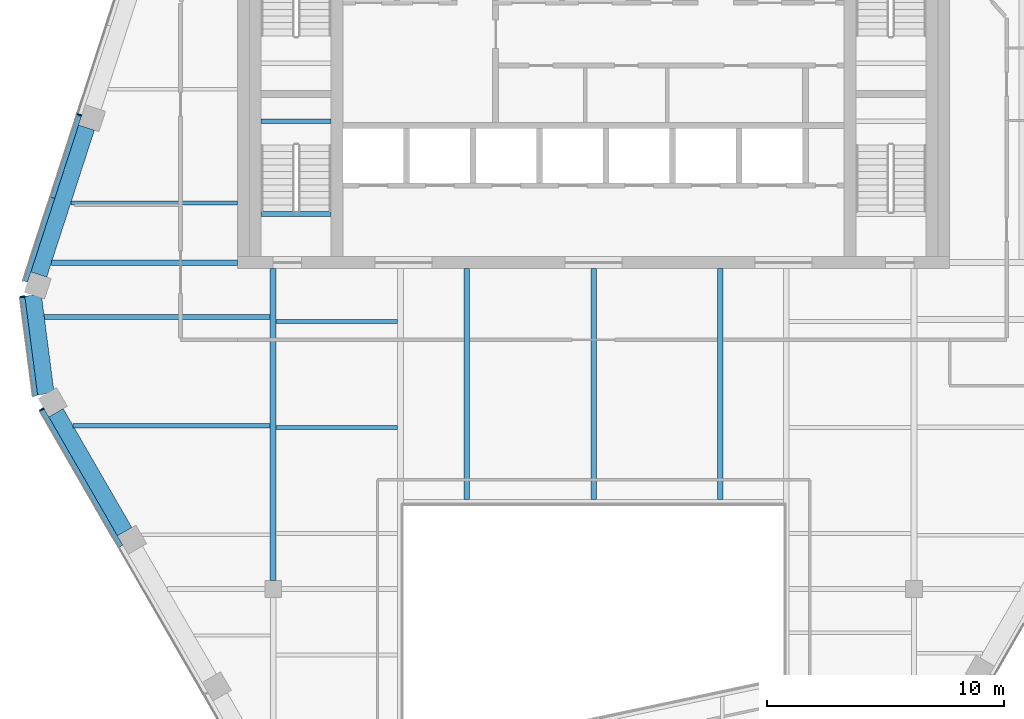
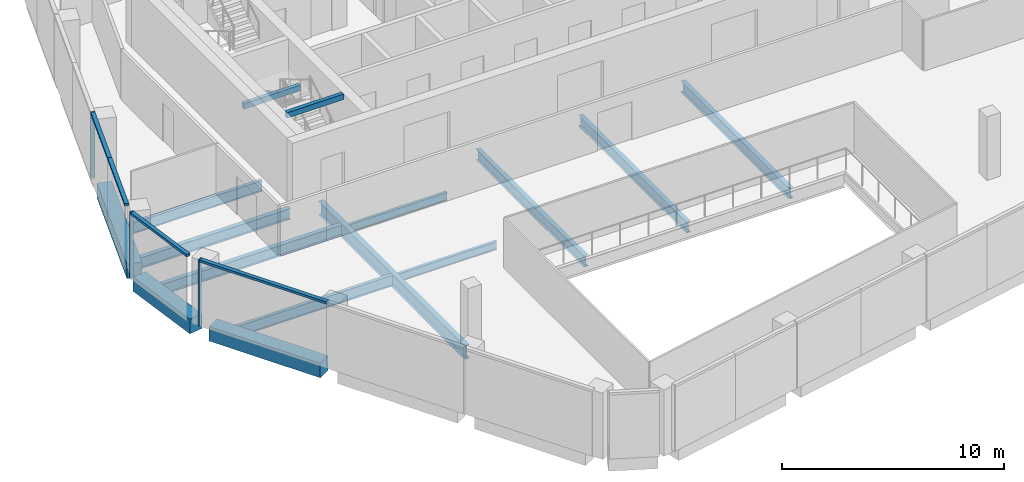
# One storey, part 3 of 15: 15 beams, 7 members, 3 elements without a shape of their own.
"""IFC4 building model written with IfcOpenShell, lengths in metres."""

from ifc_helpers import new_model, si_unit, direction, frame, origin, origin_2d, place, context, subcontext, project, spatial, rectangle, i_section, extrude, material, layer, layer_set, material_profile, profile_set, type_object, element, aggregate, save


model = new_model("IFC4")

# Units and contexts
model_context = context("Model", 3, precision=1e-05, world=origin(), true_north=direction((0.0, 1.0)))
body_context = subcontext(model_context, "Body", "Model", "MODEL_VIEW")
ifc_project = project(units=[si_unit("LENGTHUNIT", "METRE"), si_unit("AREAUNIT", "SQUARE_METRE"), si_unit("VOLUMEUNIT", "CUBIC_METRE"), si_unit("PLANEANGLEUNIT", "RADIAN"), si_unit("MASSUNIT", "GRAM", prefix="KILO")], contexts=[model_context])

# Site, building, storey
site_placement = place(None, origin())
site = spatial("IfcSite", under=ifc_project, at=site_placement, CompositionType="ELEMENT")
building_placement = place(site_placement, origin())
building = spatial("IfcBuilding", under=site, at=building_placement, Name="Isthmus Gate Tower", CompositionType="ELEMENT")
storey_placement = place(building_placement, frame((0.0, 0.0, 268.25)))
storey = spatial("IfcBuildingStorey", under=building, at=storey_placement, Name="L68", CompositionType="ELEMENT", Elevation=268.25)

# Curtain wall, member
ifc_material_1 = material(Name="Aluminium, pale champagne anodised", Category="aluminium")
ifc_layer = layer(ifc_material_1, 0.199951171875)
ifc_layer_set = layer_set([ifc_layer], Name="CW-1 UNITISED CURTAIN WALL 200 DEEP")
curtain_wall_type = type_object("IfcCurtainWallType", Name="CW-1 UNITISED CURTAIN WALL 200 DEEP", PredefinedType="NOTDEFINED", material=ifc_layer_set)
curtain_wall_1_placement = place(storey_placement, origin())
curtain_wall_1 = element("IfcCurtainWall", 1, at=curtain_wall_1_placement, inside=storey, type_object=curtain_wall_type, Name="CW-1 NW L68", PredefinedType="NOTDEFINED")
ifc_material_2 = material(Name="Aluminium, pale champagne anodised", Category="aluminium")
ifc_material_profile_1 = material_profile(ifc_material_2, rectangle(XDim=0.06005859375, YDim=0.199951171875, at=origin_2d()), Name="60x200")
ifc_profile_set_1 = profile_set([ifc_material_profile_1], Name="Aluminium, pale champagne anodised")
member_type_1 = type_object("IfcMemberType", Name="CW-1 MULLION 60 X 200", PredefinedType="MULLION", material=ifc_profile_set_1)
member_1_placement = place(storey_placement, frame((-21.6572265625, 6.47265625, 0.0), z_axis=(0.0, 0.0, 1.0), x_axis=(-0.309016994375, -0.951056516295, 0.0)))
member_1 = element("IfcMember", 2, at=member_1_placement, type_object=member_type_1, Name="CW-1 mullion", PredefinedType="MULLION", context=body_context, shape_type="SweptSolid", body=[
    extrude(rectangle(XDim=0.06005859375, YDim=0.199951171875, at=origin_2d()), origin(), (0.0, 0.0, 1.0), 3.64990234375),
])

curtain_wall_2_placement = place(storey_placement, origin())
curtain_wall_2 = element("IfcCurtainWall", 3, at=curtain_wall_2_placement, inside=storey, type_object=curtain_wall_type, Name="CW-1 NW-SW L68", PredefinedType="NOTDEFINED")
member_2_placement = place(storey_placement, frame((-24.0576171875, -1.18603515625, 0.0), z_axis=(0.0, 0.0, 1.0), x_axis=(0.129164534, -0.991623175988, 0.0)))
member_2 = element("IfcMember", 4, at=member_2_placement, type_object=member_type_1, Name="CW-1 mullion", PredefinedType="MULLION", context=body_context, shape_type="SweptSolid", body=[
    extrude(rectangle(XDim=0.06005859375, YDim=0.199951171875, at=origin_2d()), origin(), (0.0, 0.0, 1.0), 3.64990234375),
])

curtain_wall_3_placement = place(storey_placement, origin())
curtain_wall_3 = element("IfcCurtainWall", 5, at=curtain_wall_3_placement, inside=storey, type_object=curtain_wall_type, Name="CW-1 SW L68", PredefinedType="NOTDEFINED")
member_3_placement = place(storey_placement, frame((-23.244873046875, -5.938720703125, 0.0), z_axis=(0.0, 0.0, 1.0), x_axis=(0.5, -0.866025403784, 0.0)))
member_3 = element("IfcMember", 6, at=member_3_placement, type_object=member_type_1, Name="CW-1 mullion", PredefinedType="MULLION", context=body_context, shape_type="SweptSolid", body=[
    extrude(rectangle(XDim=0.06005859375, YDim=0.199951171875, at=origin_2d()), origin(), (0.0, 0.0, 1.0), 3.64990234375),
])

# Member
ifc_material_3 = material(Name="Aluminium, pale champagne anodised", Category="aluminium")
ifc_material_profile_2 = material_profile(ifc_material_3, rectangle(XDim=0.199951171875, YDim=0.1298828125, at=origin_2d()), Name="200x130")
ifc_profile_set_2 = profile_set([ifc_material_profile_2], Name="Aluminium, pale champagne anodised")
member_type_2 = type_object("IfcMemberType", Name="CW-1 TRANSOM 200 X 130", PredefinedType="USERDEFINED", material=ifc_profile_set_2)
member_4_placement = place(storey_placement, frame((-21.66650390625, 6.4443359375, 3.5849609375), z_axis=(-0.30898152177, -0.951068041312, 0.0), x_axis=(0.951068041312, -0.30898152177, 0.0)))
member_4 = element("IfcMember", 7, at=member_4_placement, type_object=member_type_2, Name="CW-1 transom", ObjectType="TRANSOM", PredefinedType="USERDEFINED", context=body_context, shape_type="SweptSolid", body=[
    extrude(rectangle(XDim=0.199951171875, YDim=0.1298828125, at=origin_2d()), origin(), (0.0, 0.0, 1.0), 3.643310546875),
])

member_5_placement = place(storey_placement, frame((-22.792236328125, 2.979248046875, 3.5849609375), z_axis=(-0.309039863592, -0.951049085332, 0.0), x_axis=(0.951049085332, -0.309039863592, 0.0)))
member_5 = element("IfcMember", 8, at=member_5_placement, type_object=member_type_2, Name="CW-1 transom", ObjectType="TRANSOM", PredefinedType="USERDEFINED", context=body_context, shape_type="SweptSolid", body=[
    extrude(rectangle(XDim=0.199951171875, YDim=0.1298828125, at=origin_2d()), origin(), (0.0, 0.0, 1.0), 3.70361328125),
])

aggregate(curtain_wall_1, [member_1, member_4, member_5])

member_6_placement = place(storey_placement, frame((-24.0537109375, -1.215576171875, 3.5849609375), z_axis=(0.129149481977, -0.991625136483, 0.0), x_axis=(0.991625136483, 0.129149481977, 0.0)))
member_6 = element("IfcMember", 9, at=member_6_placement, type_object=member_type_2, Name="CW-1 transom", ObjectType="TRANSOM", PredefinedType="USERDEFINED", context=body_context, shape_type="SweptSolid", body=[
    extrude(rectangle(XDim=0.199951171875, YDim=0.1298828125, at=origin_2d()), origin(), (0.0, 0.0, 1.0), 4.181396484375),
])

aggregate(curtain_wall_2, [member_2, member_6])

member_7_placement = place(storey_placement, frame((-23.22998046875, -5.964599609375, 3.5849609375), z_axis=(0.49999574405, -0.866027860944, 0.0), x_axis=(0.866027860944, 0.49999574405, 0.0)))
member_7 = element("IfcMember", 10, at=member_7_placement, type_object=member_type_2, Name="CW-1 transom", ObjectType="TRANSOM", PredefinedType="USERDEFINED", context=body_context, shape_type="SweptSolid", body=[
    extrude(rectangle(XDim=0.199951171875, YDim=0.1298828125, at=origin_2d()), origin(), (0.0, 0.0, 1.0), 6.62451171875),
])

aggregate(curtain_wall_3, [member_3, member_7])

# Beams
ifc_material_4 = material(Name="Concrete f'c 50 MPa", Category="concrete")
ifc_material_profile_3 = material_profile(ifc_material_4, rectangle(XDim=0.699951171875, YDim=0.800048828125, at=origin_2d()), Name="RC 700X800")
ifc_profile_set_3 = profile_set([ifc_material_profile_3], Name="Concrete f'c 50 MPa")
beam_type_1 = type_object("IfcBeamType", Name="RC SPANDREL 700 X 800", PredefinedType="SPANDREL", material=ifc_profile_set_3)
beam_1_placement = place(storey_placement, frame((-19.7529296875, -11.0869140625, -0.39990234375), z_axis=(-0.500011073467, 0.866019010421, 0.0), x_axis=(-0.866019010421, -0.500011073467, 0.0)))
element("IfcBeam", 11, at=beam_1_placement, inside=storey, type_object=beam_type_1, Name="str-spandrel-L68-15", PredefinedType="SPANDREL", context=body_context, shape_type="SweptSolid", body=[
    extrude(rectangle(XDim=0.699951171875, YDim=0.800048828125, at=origin_2d()), origin(), (0.0, 0.0, 1.0), 5.784423828125),
])
beam_2_placement = place(storey_placement, frame((-23.070068359375, -5.283447265625, -0.39990234375), z_axis=(-0.129137748309, 0.991626664608, 0.0), x_axis=(-0.991626664608, -0.129137748309, 0.0)))
element("IfcBeam", 12, at=beam_2_placement, inside=storey, type_object=beam_type_1, Name="str-spandrel-L68-16", PredefinedType="SPANDREL", context=body_context, shape_type="SweptSolid", body=[
    extrude(rectangle(XDim=0.699951171875, YDim=0.800048828125, at=origin_2d()), origin(), (0.0, 0.0, 1.0), 4.197021484375),
])
beam_3_placement = place(storey_placement, frame((-23.36962890625, -0.254150390625, -0.39990234375), z_axis=(0.30901480678, 0.951057227085, 0.0), x_axis=(-0.951057227085, 0.30901480678, 0.0)))
element("IfcBeam", 13, at=beam_3_placement, inside=storey, type_object=beam_type_1, Name="str-spandrel-L68-17", PredefinedType="SPANDREL", context=body_context, shape_type="SweptSolid", body=[
    extrude(rectangle(XDim=0.699951171875, YDim=0.800048828125, at=origin_2d()), origin(), (0.0, 0.0, 1.0), 6.5068359375),
])
ifc_material_5 = material(Name="Concrete f'c 40 MPa", Category="concrete")
ifc_material_profile_4 = material_profile(ifc_material_5, rectangle(XDim=0.199951171875, YDim=0.300048828125, at=origin_2d()), Name="STAIR LANDING BEAM RC 200 X 300")
ifc_profile_set_4 = profile_set([ifc_material_profile_4], Name="Concrete f'c 40 MPa")
beam_type_2 = type_object("IfcBeamType", Name="STAIR LANDING BEAM RC 200 X 300", PredefinedType="BEAM", material=ifc_profile_set_4)
for number, where, z_axis, x_axis, name in (
    (14, (-14.0, 6.199951171875, 1.47509765625), (1.0, 0.0, 0.0), (0.0, 1.0, 0.0), "L68 ST7 landing beam 1"),
    (15, (-14.0, 2.2998046875, 3.35009765625), (1.0, 0.0, 0.0), (0.0, 1.0, 0.0), "L68 ST7 floor-edge seat beam"),
):
    element("IfcBeam", number, at=place(storey_placement, frame(where, z_axis=z_axis, x_axis=x_axis)), inside=storey, type_object=beam_type_2, Name=name, PredefinedType="BEAM", context=body_context, shape_type="SweptSolid", body=[
        extrude(rectangle(XDim=0.199951171875, YDim=0.300048828125, at=origin_2d()), origin(), (0.0, 0.0, 1.0), 2.949951171875),
    ])
ifc_material_6 = material(Name="Structural steel ASTM A992 Gr 50", Category="steel")
ifc_material_profile_5 = material_profile(ifc_material_6, i_section(OverallWidth=0.15234375, OverallDepth=0.45068359375, WebThickness=0.0078125, FlangeThickness=0.010986328125, at=origin_2d()), Name="W18X35")
ifc_profile_set_5 = profile_set([ifc_material_profile_5], Name="Structural steel ASTM A992 Gr 50")
beam_type_3 = type_object("IfcBeamType", Name="STEEL FLOOR BEAM W18X35", PredefinedType="JOIST", material=ifc_profile_set_5)
for number, where, z_axis, x_axis, name in (
    (16, (-13.3681640625, -6.697509765625, -0.37548828125), (1.0, 0.0, 0.0), (0.0, 1.0, 0.0), "str-beam-L68-03-01"),
    (17, (-13.3681640625, -2.232421875, -0.37548828125), (1.0, 0.0, 0.0), (0.0, 1.0, 0.0), "str-beam-L68-03-02"),
):
    element("IfcBeam", number, at=place(storey_placement, frame(where, z_axis=z_axis, x_axis=x_axis)), inside=storey, type_object=beam_type_3, Name=name, PredefinedType="JOIST", context=body_context, shape_type="SweptSolid", body=[
        extrude(i_section(OverallWidth=0.15234375, OverallDepth=0.45068359375, WebThickness=0.0078125, FlangeThickness=0.010986328125, at=origin_2d()), origin(), (0.0, 0.0, 1.0), 5.1142578125),
    ])
ifc_material_7 = material(Name="Structural steel ASTM A992 Gr 50", Category="steel")
ifc_material_profile_6 = material_profile(ifc_material_7, i_section(OverallWidth=0.177734375, OverallDepth=0.60009765625, WebThickness=0.009521484375, FlangeThickness=0.0126953125, at=origin_2d()), Name="W24X55")
ifc_profile_set_6 = profile_set([ifc_material_profile_6], Name="Structural steel ASTM A992 Gr 50")
beam_type_4 = type_object("IfcBeamType", Name="STEEL FLOOR BEAM W24X55", PredefinedType="JOIST", material=ifc_profile_set_6)
beam_4_placement = place(storey_placement, frame((-22.021728515625, 2.761962890625, -0.449951171875), z_axis=(1.0, 0.0, 0.0), x_axis=(0.0, 1.0, 0.0)))
element("IfcBeam", 18, at=beam_4_placement, inside=storey, type_object=beam_type_4, Name="str-beam-L68-00-00", PredefinedType="JOIST", context=body_context, shape_type="SweptSolid", body=[
    extrude(i_section(OverallWidth=0.177734375, OverallDepth=0.60009765625, WebThickness=0.009521484375, FlangeThickness=0.0126953125, at=origin_2d()), origin(), (0.0, 0.0, 1.0), 7.021728515625),
])
beam_5_placement = place(storey_placement, frame((-21.9248046875, -6.625, -0.449951171875), z_axis=(1.0, 0.0, 0.0), x_axis=(0.0, 1.0, 0.0)))
element("IfcBeam", 19, at=beam_5_placement, inside=storey, type_object=beam_type_4, Name="str-beam-L68-01-01", PredefinedType="JOIST", context=body_context, shape_type="SweptSolid", body=[
    extrude(i_section(OverallWidth=0.177734375, OverallDepth=0.60009765625, WebThickness=0.009521484375, FlangeThickness=0.0126953125, at=origin_2d()), origin(), (0.0, 0.0, 1.0), 8.29296875),
])
ifc_material_8 = material(Name="Structural steel ASTM A992 Gr 50", Category="steel")
ifc_material_profile_7 = material_profile(ifc_material_8, i_section(OverallWidth=0.228515625, OverallDepth=0.603271484375, WebThickness=0.010986328125, FlangeThickness=0.014404296875, at=origin_2d()), Name="W24X68")
ifc_profile_set_7 = profile_set([ifc_material_profile_7], Name="Structural steel ASTM A992 Gr 50")
beam_type_5 = type_object("IfcBeamType", Name="STEEL FLOOR BEAM W24X68", PredefinedType="JOIST", material=ifc_profile_set_7)
beam_6_placement = place(storey_placement, frame((-23.139404296875, -2.041748046875, -0.45166015625), z_axis=(1.0, 0.0, 0.0), x_axis=(0.0, 1.0, 0.0)))
element("IfcBeam", 20, at=beam_6_placement, inside=storey, type_object=beam_type_5, Name="str-beam-L68-01-02", PredefinedType="JOIST", context=body_context, shape_type="SweptSolid", body=[
    extrude(i_section(OverallWidth=0.228515625, OverallDepth=0.603271484375, WebThickness=0.010986328125, FlangeThickness=0.014404296875, at=origin_2d()), origin(), (0.0, 0.0, 1.0), 9.507568359375),
])
for number, where, z_axis, x_axis, name in (
    (21, (-5.333251953125, -9.7333984375, -0.45166015625), (0.0, 1.0, 0.0), (-1.0, 0.0, 0.0), "str-beam-L68-06-00"),
    (22, (0.0, -9.7333984375, -0.45166015625), (0.0, 1.0, 0.0), (-1.0, 0.0, 0.0), "str-beam-L68-06-01"),
    (23, (5.333251953125, -9.7333984375, -0.45166015625), (0.0, 1.0, 0.0), (-1.0, 0.0, 0.0), "str-beam-L68-06-02"),
):
    element("IfcBeam", number, at=place(storey_placement, frame(where, z_axis=z_axis, x_axis=x_axis)), inside=storey, type_object=beam_type_5, Name=name, PredefinedType="JOIST", context=body_context, shape_type="SweptSolid", body=[
        extrude(i_section(OverallWidth=0.228515625, OverallDepth=0.603271484375, WebThickness=0.010986328125, FlangeThickness=0.014404296875, at=origin_2d()), origin(), (0.0, 0.0, 1.0), 9.7333984375),
    ])
ifc_material_9 = material(Name="Structural steel ASTM A992 Gr 50", Category="steel")
ifc_material_profile_8 = material_profile(ifc_material_9, i_section(OverallWidth=0.228515625, OverallDepth=0.603271484375, WebThickness=0.010986328125, FlangeThickness=0.014404296875, at=origin_2d()), Name="W24X68")
ifc_profile_set_8 = profile_set([ifc_material_profile_8], Name="Structural steel ASTM A992 Gr 50")
beam_type_6 = type_object("IfcBeamType", Name="STEEL GIRDER W24X68", PredefinedType="BEAM", material=ifc_profile_set_8)
beam_7_placement = place(storey_placement, frame((-15.0, 0.25, -0.45166015625), z_axis=(-1.0, 0.0, 0.0), x_axis=(0.0, -1.0, 0.0)))
element("IfcBeam", 24, at=beam_7_placement, inside=storey, type_object=beam_type_6, Name="str-girder-L68-09", PredefinedType="BEAM", context=body_context, shape_type="SweptSolid", body=[
    extrude(i_section(OverallWidth=0.228515625, OverallDepth=0.603271484375, WebThickness=0.010986328125, FlangeThickness=0.014404296875, at=origin_2d()), origin(), (0.0, 0.0, 1.0), 7.837890625),
])
ifc_material_10 = material(Name="Structural steel ASTM A992 Gr 50", Category="steel")
ifc_material_profile_9 = material_profile(ifc_material_10, i_section(OverallWidth=0.263427734375, OverallDepth=0.749267578125, WebThickness=0.0126953125, FlangeThickness=0.015869140625, at=origin_2d()), Name="W30X90")
ifc_profile_set_9 = profile_set([ifc_material_profile_9], Name="Structural steel ASTM A992 Gr 50")
beam_type_7 = type_object("IfcBeamType", Name="STEEL GIRDER W30X90", PredefinedType="BEAM", material=ifc_profile_set_9)
beam_8_placement = place(storey_placement, frame((-13.5, -13.14990234375, -0.524658203125), z_axis=(0.0, 1.0, 0.0), x_axis=(-1.0, 0.0, 0.0)))
element("IfcBeam", 25, at=beam_8_placement, inside=storey, type_object=beam_type_7, Name="str-girder-L68-06", PredefinedType="BEAM", context=body_context, shape_type="SweptSolid", body=[
    extrude(i_section(OverallWidth=0.263427734375, OverallDepth=0.749267578125, WebThickness=0.0126953125, FlangeThickness=0.015869140625, at=origin_2d()), origin(), (0.0, 0.0, 1.0), 13.14990234375),
])

save(model, "model.ifc")
